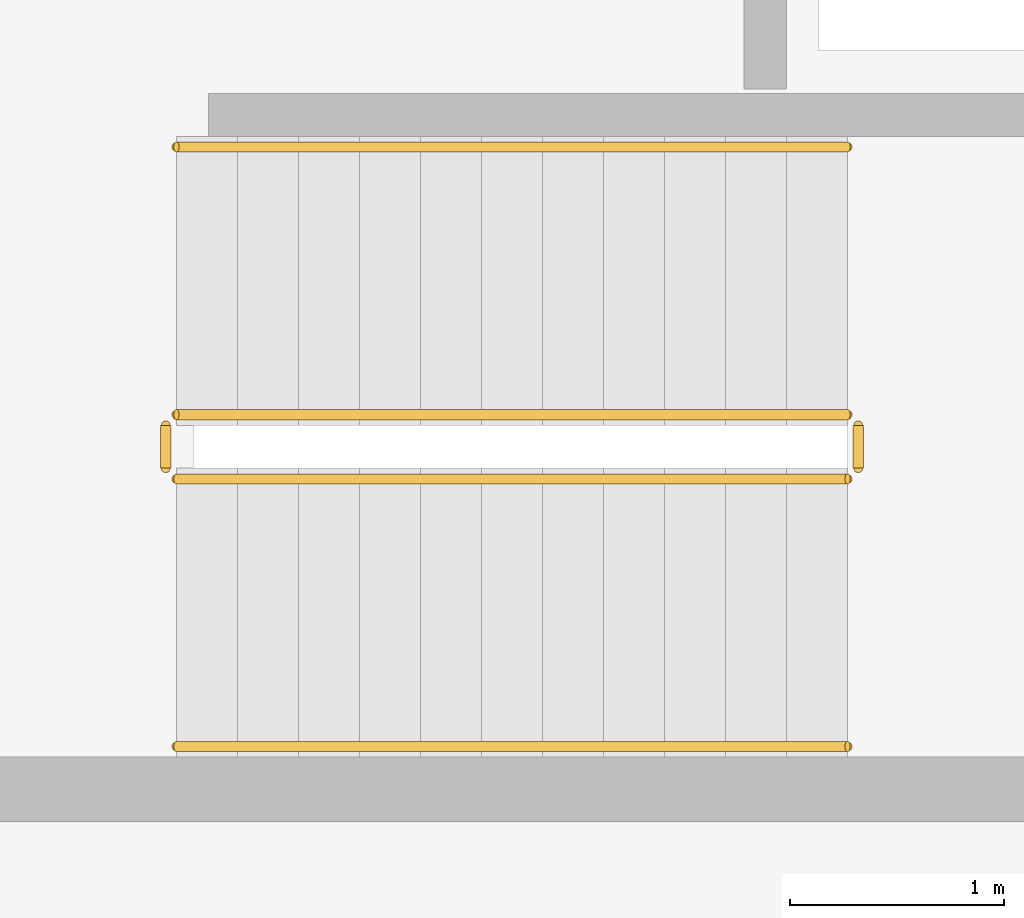
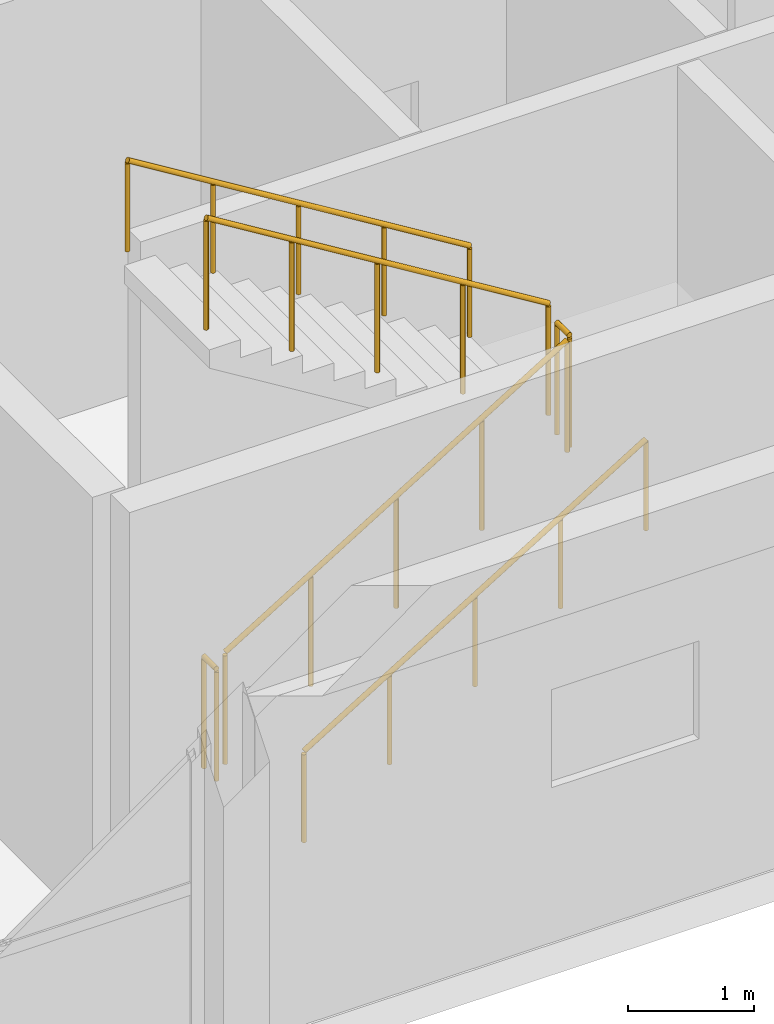
# One storey, part 67 of 68: 6 railings.
"""IFC4 building model written with IfcOpenShell, lengths in metres."""

from ifc_helpers import new_model, si_unit, direction, frame, origin, origin_2d, place, context, subcontext, project, spatial, circle, extrude, material, type_object, element, save


model = new_model("IFC4")

# Units and contexts
model_context = context("Model", 3, precision=1e-05, world=origin(), true_north=direction((0.0, 1.0)))
body_context = subcontext(model_context, "Body", "Model", "MODEL_VIEW")
ifc_project = project(units=[si_unit("LENGTHUNIT", "METRE"), si_unit("AREAUNIT", "SQUARE_METRE"), si_unit("VOLUMEUNIT", "CUBIC_METRE"), si_unit("PLANEANGLEUNIT", "RADIAN"), si_unit("MASSUNIT", "GRAM", prefix="KILO")], contexts=[model_context])

# Site, building, storey
site_placement = place(None, origin())
site = spatial("IfcSite", under=ifc_project, at=site_placement, CompositionType="ELEMENT")
building_placement = place(site_placement, origin())
building = spatial("IfcBuilding", under=site, at=building_placement, Name="Bramvelor Terrace Health Centre", CompositionType="ELEMENT")
storey_placement = place(building_placement, frame((0.0, 0.0, 9.300048828125)))
storey = spatial("IfcBuildingStorey", under=building, at=storey_placement, Name="L03", CompositionType="ELEMENT", Elevation=9.300048828125)

# Railings
ifc_material_1 = material(Name="Painted galvanized steel", Category="steel")
railing_type_1 = type_object("IfcRailingType", Name="RLG-GD-1100", PredefinedType="GUARDRAIL", material=ifc_material_1)
railing_1_placement = place(storey_placement, frame((81.0, 89.64990234375, 0.175048828125)))
element("IfcRailing", 1, at=railing_1_placement, inside=storey, type_object=railing_type_1, Name="L03 ST-4 stair guard 1", PredefinedType="GUARDRAIL", context=body_context, shape_type="SweptSolid", body=[
    extrude(circle(Radius=0.02392578125, at=origin_2d()), frame((0.0, 0.0, 1.076171875), z_axis=(0.852195625947, 0.0, 0.523223293744), x_axis=(0.0, 1.0, 0.0)), (0.0, 0.0, 1.0), 3.6787109375),
    extrude(circle(Radius=0.02099609375, at=origin_2d()), origin(), (0.0, 0.0, 1.0), 1.052001953125),
    extrude(circle(Radius=0.02099609375, at=origin_2d()), frame((0.78369140625, 0.0, 0.481201171875)), (0.0, 0.0, 1.0), 1.052001953125),
    extrude(circle(Radius=0.02099609375, at=origin_2d()), frame((1.5673828125, 0.0, 0.96240234375)), (0.0, 0.0, 1.0), 1.052001953125),
    extrude(circle(Radius=0.02099609375, at=origin_2d()), frame((2.351318359375, 0.0, 1.443603515625)), (0.0, 0.0, 1.0), 1.052001953125),
    extrude(circle(Radius=0.02099609375, at=origin_2d()), frame((3.135009765625, 0.0, 1.9248046875)), (0.0, 0.0, 1.0), 1.052001953125),
])
railing_2_placement = place(storey_placement, frame((84.18505859375, 89.699951171875, 2.099853515625)))
element("IfcRailing", 2, at=railing_2_placement, inside=storey, type_object=railing_type_1, Name="L03 ST-4 stair guard 2", PredefinedType="GUARDRAIL", context=body_context, shape_type="SweptSolid", body=[
    extrude(circle(Radius=0.02392578125, at=origin_2d()), frame((0.0, 0.0, 1.076171875), z_axis=(0.0, 1.0, 0.0), x_axis=(-1.0, 0.0, 0.0)), (0.0, 0.0, 1.0), 0.199951171875),
    extrude(circle(Radius=0.02099609375, at=origin_2d()), origin(), (0.0, 0.0, 1.0), 1.052001953125),
    extrude(circle(Radius=0.02099609375, at=origin_2d()), frame((0.0, 0.199951171875, 0.0)), (0.0, 0.0, 1.0), 1.052001953125),
])
railing_3_placement = place(storey_placement, frame((84.135009765625, 89.949951171875, 2.27490234375)))
element("IfcRailing", 3, at=railing_3_placement, inside=storey, type_object=railing_type_1, Name="L03 ST-4 stair guard 3", PredefinedType="GUARDRAIL", context=body_context, shape_type="SweptSolid", body=[
    extrude(circle(Radius=0.02392578125, at=origin_2d()), frame((0.0, 0.0, 1.076171875), z_axis=(-0.852166034122, 0.0, 0.523271488128), x_axis=(0.0, -1.0, 0.0)), (0.0, 0.0, 1.0), 3.678955078125),
    extrude(circle(Radius=0.02099609375, at=origin_2d()), origin(), (0.0, 0.0, 1.0), 1.052001953125),
    extrude(circle(Radius=0.02099609375, at=origin_2d()), frame((-0.78369140625, 0.0, 0.481201171875)), (0.0, 0.0, 1.0), 1.052001953125),
    extrude(circle(Radius=0.02099609375, at=origin_2d()), frame((-1.5673828125, 0.0, 0.96240234375)), (0.0, 0.0, 1.0), 1.052001953125),
    extrude(circle(Radius=0.02099609375, at=origin_2d()), frame((-2.351318359375, 0.0, 1.44384765625)), (0.0, 0.0, 1.0), 1.052001953125),
    extrude(circle(Radius=0.02099609375, at=origin_2d()), frame((-3.135009765625, 0.0, 1.925048828125)), (0.0, 0.0, 1.0), 1.052001953125),
])
railing_4_placement = place(storey_placement, frame((80.949951171875, 89.699951171875, 0.0)))
element("IfcRailing", 4, at=railing_4_placement, inside=storey, type_object=railing_type_1, Name="L03 ST-4 stair guard 4", PredefinedType="GUARDRAIL", context=body_context, shape_type="SweptSolid", body=[
    extrude(circle(Radius=0.02392578125, at=origin_2d()), frame((0.0, 0.0, 1.076171875), z_axis=(0.0, 1.0, 0.0), x_axis=(-1.0, 0.0, 0.0)), (0.0, 0.0, 1.0), 0.199951171875),
    extrude(circle(Radius=0.02099609375, at=origin_2d()), origin(), (0.0, 0.0, 1.0), 1.052001953125),
    extrude(circle(Radius=0.02099609375, at=origin_2d()), frame((0.0, 0.199951171875, 0.0)), (0.0, 0.0, 1.0), 1.052001953125),
])
ifc_material_2 = material(Name="Brushed stainless steel 316", Category="steel")
railing_type_2 = type_object("IfcRailingType", Name="RLG-HR-900", PredefinedType="HANDRAIL", material=ifc_material_2)
railing_5_placement = place(storey_placement, frame((81.0, 88.39990234375, 0.175048828125)))
element("IfcRailing", 5, at=railing_5_placement, inside=storey, type_object=railing_type_2, Name="L03 ST-4 stair handrail 1", PredefinedType="HANDRAIL", context=body_context, shape_type="SweptSolid", body=[
    extrude(circle(Radius=0.02392578125, at=origin_2d()), frame((0.0, 0.0, 0.8759765625), z_axis=(0.852195625947, 0.0, 0.523223293744), x_axis=(0.0, 1.0, 0.0)), (0.0, 0.0, 1.0), 3.6787109375),
    extrude(circle(Radius=0.02099609375, at=origin_2d()), origin(), (0.0, 0.0, 1.0), 0.851806640625),
    extrude(circle(Radius=0.02099609375, at=origin_2d()), frame((0.78369140625, 0.0, 0.481201171875)), (0.0, 0.0, 1.0), 0.851806640625),
    extrude(circle(Radius=0.02099609375, at=origin_2d()), frame((1.5673828125, 0.0, 0.96240234375)), (0.0, 0.0, 1.0), 0.851806640625),
    extrude(circle(Radius=0.02099609375, at=origin_2d()), frame((2.351318359375, 0.0, 1.443603515625)), (0.0, 0.0, 1.0), 0.851806640625),
    extrude(circle(Radius=0.02099609375, at=origin_2d()), frame((3.135009765625, 0.0, 1.9248046875)), (0.0, 0.0, 1.0), 0.851806640625),
])
railing_6_placement = place(storey_placement, frame((84.135009765625, 91.199951171875, 2.27490234375)))
element("IfcRailing", 6, at=railing_6_placement, inside=storey, type_object=railing_type_2, Name="L03 ST-4 stair handrail 2", PredefinedType="HANDRAIL", context=body_context, shape_type="SweptSolid", body=[
    extrude(circle(Radius=0.02392578125, at=origin_2d()), frame((0.0, 0.0, 0.8759765625), z_axis=(-0.852166034122, 0.0, 0.523271488128), x_axis=(0.0, -1.0, 0.0)), (0.0, 0.0, 1.0), 3.678955078125),
    extrude(circle(Radius=0.02099609375, at=origin_2d()), origin(), (0.0, 0.0, 1.0), 0.851806640625),
    extrude(circle(Radius=0.02099609375, at=origin_2d()), frame((-0.78369140625, 0.0, 0.481201171875)), (0.0, 0.0, 1.0), 0.851806640625),
    extrude(circle(Radius=0.02099609375, at=origin_2d()), frame((-1.5673828125, 0.0, 0.96240234375)), (0.0, 0.0, 1.0), 0.851806640625),
    extrude(circle(Radius=0.02099609375, at=origin_2d()), frame((-2.351318359375, 0.0, 1.44384765625)), (0.0, 0.0, 1.0), 0.851806640625),
    extrude(circle(Radius=0.02099609375, at=origin_2d()), frame((-3.135009765625, 0.0, 1.925048828125)), (0.0, 0.0, 1.0), 0.851806640625),
])

save(model, "model.ifc")
